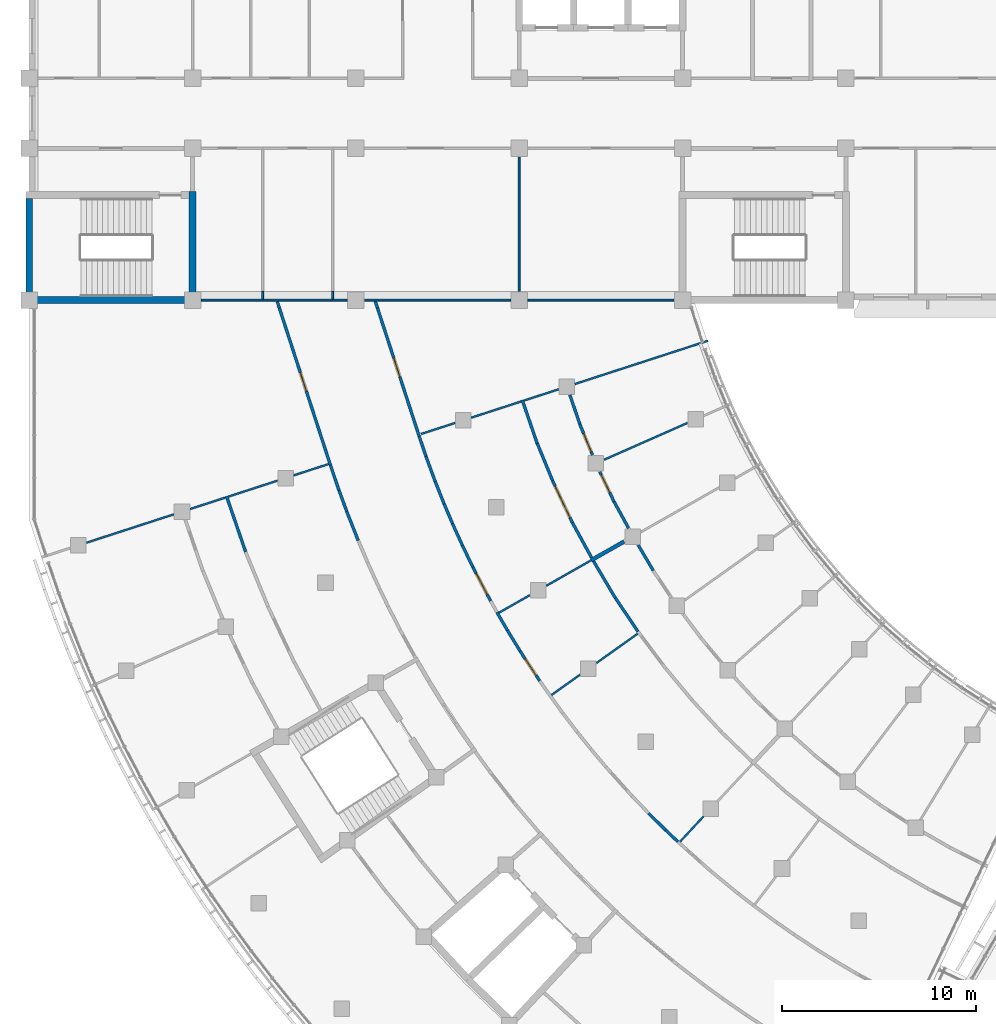
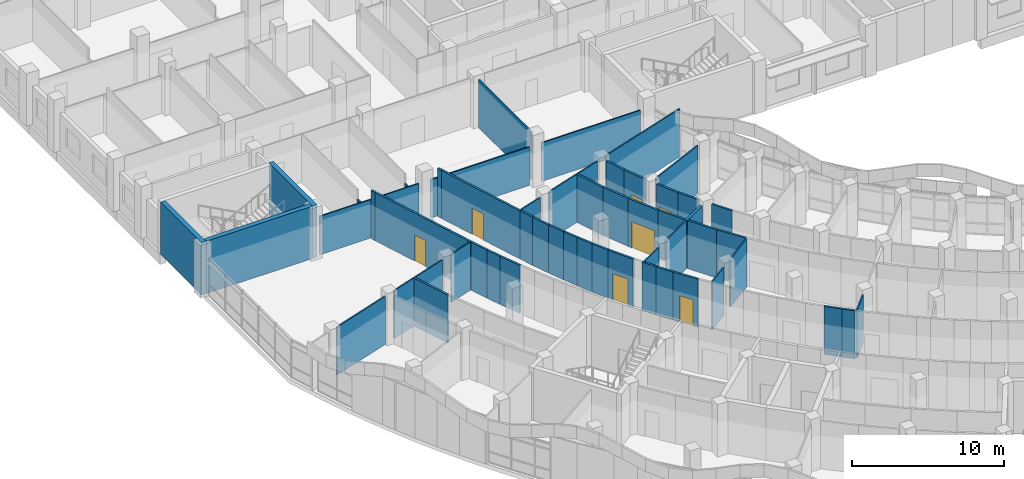
# One storey, part 54 of 109: 53 walls, 7 doors, 7 openings.
"""IFC4 building model written with IfcOpenShell, lengths in metres."""

from ifc_helpers import new_model, si_unit, direction, frame, frame_2d, origin, place, context, subcontext, project, spatial, rectangle, extrude, material, layer, layer_set, type_object, element, fill, save


model = new_model("IFC4")

# Units and contexts
model_context = context("Model", 3, precision=1e-05, world=origin(), true_north=direction((0.0, 1.0)))
body_context = subcontext(model_context, "Body", "Model", "MODEL_VIEW")
ifc_project = project(units=[si_unit("LENGTHUNIT", "METRE"), si_unit("AREAUNIT", "SQUARE_METRE"), si_unit("VOLUMEUNIT", "CUBIC_METRE"), si_unit("PLANEANGLEUNIT", "RADIAN"), si_unit("MASSUNIT", "GRAM", prefix="KILO")], contexts=[model_context])

# Site, building, storey
site_placement = place(None, origin())
site = spatial("IfcSite", under=ifc_project, at=site_placement, CompositionType="ELEMENT")
building_placement = place(site_placement, origin())
building = spatial("IfcBuilding", under=site, at=building_placement, Name="Bougainvillea Quay General Hospital", CompositionType="ELEMENT")
storey_placement = place(building_placement, frame((0.0, 0.0, 12.60009765625)))
storey = spatial("IfcBuildingStorey", under=building, at=storey_placement, Name="L02", CompositionType="ELEMENT", Elevation=12.60009765625)

# Walls
ifc_material_1 = material(Name="Gypsum board partition on steel studs", Category="steel")
ifc_layer_1 = layer(ifc_material_1, 0.10009765625)
ifc_layer_set_1 = layer_set([ifc_layer_1], Name="Gypsum board partition on steel studs")
wall_type_1 = type_object("IfcWallType", Name="Partition 100 Gypsum board partition", PredefinedType="PARTITIONING", material=ifc_layer_set_1)
for number, where, z_axis, x_axis, name in (
    (1, (75.14990234375, 117.60009765625, 0.0), (0.0, 0.0, 1.0), (-1.0, 0.0, 0.0), "Partition 100 mm"),
    (2, (66.75, 117.60009765625, 0.0), (0.0, 0.0, 1.0), (-1.0, 0.0, 0.0), "Partition 100 mm"),
    (3, (58.35009765625, 117.60009765625, 0.0), (0.0, 0.0, 1.0), (-1.0, 0.0, 0.0), "Partition 100 mm"),
):
    element("IfcWall", number, at=place(storey_placement, frame(where, z_axis=z_axis, x_axis=x_axis)), inside=storey, type_object=wall_type_1, Name=name, PredefinedType="PARTITIONING", context=body_context, shape_type="SweptSolid", body=[
        extrude(rectangle(XDim=7.5, YDim=0.10009765625, at=frame_2d((3.75, 0.0))), origin(), (0.0, 0.0, 1.0), 3.079833984375),
    ])
for number, where, z_axis, x_axis, name in (
    (4, (53.998046875, 117.64990234375, 0.0), (0.0, 0.0, 1.0), (0.0, 1.0, 0.0), "Partition 100 mm"),
    (5, (57.597900390625, 117.64990234375, 0.0), (0.0, 0.0, 1.0), (0.0, 1.0, 0.0), "Partition 100 mm"),
):
    element("IfcWall", number, at=place(storey_placement, frame(where, z_axis=z_axis, x_axis=x_axis)), inside=storey, type_object=wall_type_1, Name=name, PredefinedType="PARTITIONING", context=body_context, shape_type="SweptSolid", body=[
        extrude(rectangle(XDim=0.400146484375, YDim=0.10009765625, at=frame_2d((0.2001953125, 0.0))), origin(), (0.0, 0.0, 1.0), 3.079833984375),
    ])
wall_1_placement = place(storey_placement, frame((67.197998046875, 118.050048828125, 0.0), z_axis=(0.0, 0.0, 1.0), x_axis=(0.0, 1.0, 0.0)))
element("IfcWall", 6, at=wall_1_placement, inside=storey, type_object=wall_type_1, Name="Partition 100 mm", PredefinedType="PARTITIONING", context=body_context, shape_type="SweptSolid", body=[
    extrude(rectangle(XDim=6.89990234375, YDim=0.10009765625, at=frame_2d((3.449951171875, 0.0))), origin(), (0.0, 0.0, 1.0), 3.849853515625),
])
ifc_layer_2 = layer(ifc_material_1, 0.10009765625)
ifc_layer_set_2 = layer_set([ifc_layer_2], Name="Gypsum board partition on steel studs")
wall_type_2 = type_object("IfcWallType", Name="Partition 100 Gypsum board partition EI 30", PredefinedType="PARTITIONING", material=ifc_layer_set_2)
wall_2_placement = place(storey_placement, frame((44.945068359375, 105.122314453125, 0.0), z_axis=(0.0, 0.0, 1.0), x_axis=(0.95107316225, 0.308965758699, 0.0)))
element("IfcWall", 7, at=wall_2_placement, inside=storey, type_object=wall_type_2, Name="Partition 100 mm EI 30", PredefinedType="PARTITIONING", context=body_context, shape_type="SweptSolid", body=[
    extrude(rectangle(XDim=4.72607421875, YDim=0.10009765625, at=frame_2d((2.363037109375, 0.0))), origin(), (0.0, 0.0, 1.0), 3.849853515625),
])
wall_3_placement = place(storey_placement, frame((50.27001953125, 106.852294921875, 0.0), z_axis=(0.0, 0.0, 1.0), x_axis=(0.951077706574, 0.308951769792, 0.0)))
element("IfcWall", 8, at=wall_3_placement, inside=storey, type_object=wall_type_2, Name="Partition 100 mm EI 30", PredefinedType="PARTITIONING", context=body_context, shape_type="SweptSolid", body=[
    extrude(rectangle(XDim=4.72705078125, YDim=0.10009765625, at=frame_2d((2.363525390625, 0.0))), origin(), (0.0, 0.0, 1.0), 3.849853515625),
])
wall_4_placement = place(storey_placement, frame((55.59619140625, 108.58251953125, 0.0), z_axis=(0.0, 0.0, 1.0), x_axis=(0.951087292219, 0.308922259768, 0.0)))
element("IfcWall", 9, at=wall_4_placement, inside=storey, type_object=wall_type_2, Name="Partition 100 mm EI 30", PredefinedType="PARTITIONING", context=body_context, shape_type="SweptSolid", body=[
    extrude(rectangle(XDim=1.88720703125, YDim=0.10009765625, at=frame_2d((0.943603515625, 0.0))), origin(), (0.0, 0.0, 1.0), 3.849853515625),
])
wall_5_placement = place(storey_placement, frame((62.159423828125, 110.7158203125, 0.0), z_axis=(0.0, 0.0, 1.0), x_axis=(0.951101847275, 0.308877445129, 0.0)))
element("IfcWall", 10, at=wall_5_placement, inside=storey, type_object=wall_type_2, Name="Partition 100 mm EI 30", PredefinedType="PARTITIONING", context=body_context, shape_type="SweptSolid", body=[
    extrude(rectangle(XDim=1.825927734375, YDim=0.10009765625, at=frame_2d((0.9130859375, 0.0))), origin(), (0.0, 0.0, 1.0), 3.849853515625),
])
wall_6_placement = place(storey_placement, frame((64.72607421875, 111.549560546875, 0.0), z_axis=(0.0, 0.0, 1.0), x_axis=(0.951062529891, 0.308998485818, 0.0)))
element("IfcWall", 11, at=wall_6_placement, inside=storey, type_object=wall_type_2, Name="Partition 100 mm EI 30", PredefinedType="PARTITIONING", context=body_context, shape_type="SweptSolid", body=[
    extrude(rectangle(XDim=4.727294921875, YDim=0.10009765625, at=frame_2d((2.36376953125, 0.0))), origin(), (0.0, 0.0, 1.0), 3.849853515625),
])
wall_7_placement = place(storey_placement, frame((70.052001953125, 113.27978515625, 0.0), z_axis=(0.0, 0.0, 1.0), x_axis=(0.951069136727, 0.308978149982, 0.0)))
element("IfcWall", 12, at=wall_7_placement, inside=storey, type_object=wall_type_2, Name="Partition 100 mm EI 30", PredefinedType="PARTITIONING", context=body_context, shape_type="SweptSolid", body=[
    extrude(rectangle(XDim=7.212646484375, YDim=0.10009765625, at=frame_2d((3.6064453125, 0.0))), origin(), (0.0, 0.0, 1.0), 3.849853515625),
])
wall_8_placement = place(storey_placement, frame((71.561767578125, 109.38720703125, 0.0), z_axis=(0.0, 0.0, 1.0), x_axis=(0.914844742968, 0.403805765515, 0.0)))
element("IfcWall", 13, at=wall_8_placement, inside=storey, type_object=wall_type_2, Name="Partition 100 mm EI 30", PredefinedType="PARTITIONING", context=body_context, shape_type="SweptSolid", body=[
    extrude(rectangle(XDim=4.68310546875, YDim=0.10009765625, at=frame_2d((2.341552734375, 0.0))), origin(), (0.0, 0.0, 1.0), 3.849853515625),
])
wall_9_placement = place(storey_placement, frame((66.152587890625, 101.518310546875, 0.0), z_axis=(0.0, 0.0, 1.0), x_axis=(0.869297970102, 0.494288416997, 0.0)))
element("IfcWall", 14, at=wall_9_placement, inside=storey, type_object=wall_type_2, Name="Partition 100 mm EI 30", PredefinedType="PARTITIONING", context=body_context, shape_type="SweptSolid", body=[
    extrude(rectangle(XDim=1.833984375, YDim=0.10009765625, at=frame_2d((0.9169921875, 0.0))), origin(), (0.0, 0.0, 1.0), 3.849853515625),
])
wall_10_placement = place(storey_placement, frame((68.59521484375, 102.907470703125, 0.0), z_axis=(0.0, 0.0, 1.0), x_axis=(0.869270757215, 0.494336272846, 0.0)))
element("IfcWall", 15, at=wall_10_placement, inside=storey, type_object=wall_type_2, Name="Partition 100 mm EI 30", PredefinedType="PARTITIONING", context=body_context, shape_type="SweptSolid", body=[
    extrude(rectangle(XDim=2.656005859375, YDim=0.10009765625, at=frame_2d((1.328125, 0.0))), origin(), (0.0, 0.0, 1.0), 3.849853515625),
])
wall_11_placement = place(storey_placement, frame((75.4677734375, 89.74560546875, 0.0), z_axis=(0.0, 0.0, 1.0), x_axis=(0.681143154038, 0.732150260334, 0.0)))
element("IfcWall", 16, at=wall_11_placement, inside=storey, type_object=wall_type_2, Name="Partition 100 mm EI 30", PredefinedType="PARTITIONING", context=body_context, shape_type="SweptSolid", body=[
    extrude(rectangle(XDim=1.785400390625, YDim=0.10009765625, at=frame_2d((0.892578125, 0.0))), origin(), (0.0, 0.0, 1.0), 3.849853515625),
])
wall_12_placement = place(storey_placement, frame((68.860595703125, 97.2900390625, 0.0), z_axis=(0.0, 0.0, 1.0), x_axis=(0.814701484378, 0.5798805837, 0.0)))
element("IfcWall", 17, at=wall_12_placement, inside=storey, type_object=wall_type_2, Name="Partition 100 mm EI 30", PredefinedType="PARTITIONING", context=body_context, shape_type="SweptSolid", body=[
    extrude(rectangle(XDim=1.787109375, YDim=0.10009765625, at=frame_2d((0.8935546875, 0.0))), origin(), (0.0, 0.0, 1.0), 3.849853515625),
])
wall_13_placement = place(storey_placement, frame((71.17333984375, 98.936279296875, 0.0), z_axis=(0.0, 0.0, 1.0), x_axis=(0.814672160951, 0.579921779355, 0.0)))
element("IfcWall", 18, at=wall_13_placement, inside=storey, type_object=wall_type_2, Name="Partition 100 mm EI 30", PredefinedType="PARTITIONING", context=body_context, shape_type="SweptSolid", body=[
    extrude(rectangle(XDim=2.597900390625, YDim=0.10009765625, at=frame_2d((1.298828125, 0.0))), origin(), (0.0, 0.0, 1.0), 3.849853515625),
])
ifc_material_2 = material(Name="Gypsum board partition on steel studs, insulated", Category="steel")
ifc_layer_3 = layer(ifc_material_2, 0.14990234375)
ifc_layer_set_3 = layer_set([ifc_layer_3], Name="Gypsum board partition on steel studs, insulated")
wall_type_3 = type_object("IfcWallType", Name="Partition 150 Gypsum board partition EI 30", PredefinedType="PARTITIONING", material=ifc_layer_set_3)
wall_14_placement = place(storey_placement, frame((54.753662109375, 117.52734375, 0.0), z_axis=(0.0, 0.0, 1.0), x_axis=(0.308896865329, -0.951095540201, 0.0)))
element("IfcWall", 19, at=wall_14_placement, inside=storey, type_object=wall_type_3, Name="Partition 150 mm EI 30", PredefinedType="PARTITIONING", context=body_context, shape_type="SweptSolid", body=[
    extrude(rectangle(XDim=0.35009765625, YDim=0.14990234375, at=frame_2d((0.175048828125, 0.0))), origin(), (0.0, 0.0, 1.0), 3.849853515625),
])

# Wall, opening, door
wall_15_placement = place(storey_placement, frame((54.86181640625, 117.1943359375, 0.0), z_axis=(0.0, 0.0, 1.0), x_axis=(0.309017166236, -0.951056460454, 0.0)))
wall_15 = element("IfcWall", 20, at=wall_15_placement, inside=storey, type_object=wall_type_3, Name="Partition 150 mm EI 30", PredefinedType="PARTITIONING", context=body_context, shape_type="SweptSolid", body=[
    extrude(rectangle(XDim=8.4921875, YDim=0.14990234375, at=frame_2d((4.24609375, 0.0))), origin(), (0.0, 0.0, 1.0), 3.849853515625),
])
opening_1_placement = place(wall_15_placement, frame((3.49560546875, 0.0, 0.0)))
opening_1 = element("IfcOpeningElement", 21, at=opening_1_placement, cuts=wall_15, Name="Opening L02.205", PredefinedType="OPENING", context=body_context, shape_type="SweptSolid", body=[
    extrude(rectangle(XDim=1.0, YDim=2.10009765625, at=frame_2d((0.5, 1.050048828125))), frame((0.0, 0.0849609375, 0.0), z_axis=(0.0, -1.0, 0.0), x_axis=(1.0, 0.0, 0.0)), (0.0, 0.0, 1.0), 0.169921875),
])
ifc_material_3 = material(Name="Solid-core timber door leaf in steel frame", Category="steel")
door_type_1 = type_object("IfcDoorType", Name="Single leaf door 1000x2100 FD30S", OperationType="NOTDEFINED", PredefinedType="DOOR", material=ifc_material_3)
door_1_placement = place(opening_1_placement, frame((1.0, 0.0, 0.0), z_axis=(0.0, 0.0, 1.0), x_axis=(-1.0, 0.0, 0.0)))
door_1 = element("IfcDoor", 22, at=door_1_placement, inside=storey, type_object=door_type_1, Name="DT15 L02.205", OperationType="SINGLE_SWING_RIGHT", OverallHeight=2.10009765625, OverallWidth=1.0, PredefinedType="DOOR", context=body_context, shape_type="SweptSolid", body=[
    extrude(rectangle(XDim=1.0, YDim=2.10009765625, at=frame_2d((0.5, 1.050048828125))), frame((0.0, 0.02490234375, 0.0), z_axis=(0.0, -1.0, 0.0), x_axis=(1.0, 0.0, 0.0)), (0.0, 0.0, 1.0), 0.050048828125),
])
fill(opening_1, door_1)

# Wall
wall_16_placement = place(storey_placement, frame((59.800537109375, 117.52734375, 0.0), z_axis=(0.0, 0.0, 1.0), x_axis=(0.308896865329, -0.951095540201, 0.0)))
element("IfcWall", 23, at=wall_16_placement, inside=storey, type_object=wall_type_3, Name="Partition 150 mm EI 30", PredefinedType="PARTITIONING", context=body_context, shape_type="SweptSolid", body=[
    extrude(rectangle(XDim=0.35009765625, YDim=0.14990234375, at=frame_2d((0.175048828125, 0.0))), origin(), (0.0, 0.0, 1.0), 3.849853515625),
])

# Wall, opening, door
wall_17_placement = place(storey_placement, frame((59.90869140625, 117.1943359375, 0.0), z_axis=(0.0, 0.0, 1.0), x_axis=(0.30908686871, -0.95103380991, 0.0)))
wall_17 = element("IfcWall", 24, at=wall_17_placement, inside=storey, type_object=wall_type_3, Name="Partition 150 mm EI 30", PredefinedType="PARTITIONING", context=body_context, shape_type="SweptSolid", body=[
    extrude(rectangle(XDim=6.931884765625, YDim=0.14990234375, at=frame_2d((3.4658203125, 0.0))), origin(), (0.0, 0.0, 1.0), 3.849853515625),
])
opening_2_placement = place(wall_17_placement, frame((2.71533203125, 0.0, 0.0)))
opening_2 = element("IfcOpeningElement", 25, at=opening_2_placement, cuts=wall_17, Name="Opening L02.216", PredefinedType="OPENING", context=body_context, shape_type="SweptSolid", body=[
    extrude(rectangle(XDim=1.0, YDim=2.10009765625, at=frame_2d((0.5, 1.050048828125))), frame((0.0, 0.0849609375, 0.0), z_axis=(0.0, -1.0, 0.0), x_axis=(1.0, 0.0, 0.0)), (0.0, 0.0, 1.0), 0.169921875),
])
door_2_placement = place(opening_2_placement, origin())
door_2 = element("IfcDoor", 26, at=door_2_placement, inside=storey, type_object=door_type_1, Name="DT15 L02.216", OperationType="SINGLE_SWING_LEFT", OverallHeight=2.10009765625, OverallWidth=1.0, PredefinedType="DOOR", context=body_context, shape_type="SweptSolid", body=[
    extrude(rectangle(XDim=1.0, YDim=2.10009765625, at=frame_2d((0.5, 1.050048828125))), frame((0.0, 0.02490234375, 0.0), z_axis=(0.0, -1.0, 0.0), x_axis=(1.0, 0.0, 0.0)), (0.0, 0.0, 1.0), 0.050048828125),
])
fill(opening_2, door_2)

# Wall
wall_18_placement = place(storey_placement, frame((52.146728515625, 107.51025390625, 0.0), z_axis=(0.0, 0.0, 1.0), x_axis=(0.324772605422, -0.945792130844, 0.0)))
element("IfcWall", 27, at=wall_18_placement, inside=storey, type_object=wall_type_3, Name="Partition 150 mm EI 30", PredefinedType="PARTITIONING", context=body_context, shape_type="SweptSolid", body=[
    extrude(rectangle(XDim=3.021240234375, YDim=0.14990234375, at=frame_2d((1.5107421875, 0.0))), origin(), (0.0, 0.0, 1.0), 3.849853515625),
])

# Wall, opening, door
wall_19_placement = place(storey_placement, frame((68.9150390625, 108.30078125, 0.0), z_axis=(0.0, 0.0, 1.0), x_axis=(0.426631335289, -0.904425620905, 0.0)))
wall_19 = element("IfcWall", 28, at=wall_19_placement, inside=storey, type_object=wall_type_3, Name="Partition 150 mm EI 30", PredefinedType="PARTITIONING", context=body_context, shape_type="SweptSolid", body=[
    extrude(rectangle(XDim=2.381103515625, YDim=0.14990234375, at=frame_2d((1.1904296875, 0.0))), origin(), (0.0, 0.0, 1.0), 3.849853515625),
])
opening_3_placement = place(wall_19_placement, frame((0.29052734375, 0.0, 0.0)))
opening_3 = element("IfcOpeningElement", 29, at=opening_3_placement, cuts=wall_19, Name="Opening L02.180", PredefinedType="OPENING", context=body_context, shape_type="SweptSolid", body=[
    extrude(rectangle(XDim=1.800048828125, YDim=2.10009765625, at=frame_2d((0.89990234375, 1.050048828125))), frame((0.0, 0.0849609375, 0.0), z_axis=(0.0, -1.0, 0.0), x_axis=(1.0, 0.0, 0.0)), (0.0, 0.0, 1.0), 0.169921875),
])
ifc_material_4 = material(Name="Solid-core timber door leaves in steel frame", Category="steel")
door_type_2 = type_object("IfcDoorType", Name="Double leaf door 1800x2100", OperationType="DOUBLE_DOOR_SINGLE_SWING", PredefinedType="DOOR", material=ifc_material_4)
door_3_placement = place(opening_3_placement, origin())
door_3 = element("IfcDoor", 30, at=door_3_placement, inside=storey, type_object=door_type_2, Name="DT08 L02.180", OperationType="DOUBLE_DOOR_SINGLE_SWING", OverallHeight=2.10009765625, OverallWidth=1.800048828125, PredefinedType="DOOR", context=body_context, shape_type="SweptSolid", body=[
    extrude(rectangle(XDim=1.800048828125, YDim=2.10009765625, at=frame_2d((0.89990234375, 1.050048828125))), frame((0.0, 0.02490234375, 0.0), z_axis=(0.0, -1.0, 0.0), x_axis=(1.0, 0.0, 0.0)), (0.0, 0.0, 1.0), 0.050048828125),
])
fill(opening_3, door_3)

# Walls
wall_20_placement = place(storey_placement, frame((71.021484375, 104.1708984375, 0.0), z_axis=(0.0, 0.0, 1.0), x_axis=(0.50873677225, -0.860922119916, 0.0)))
element("IfcWall", 31, at=wall_20_placement, inside=storey, type_object=wall_type_3, Name="Partition 150 mm EI 30", PredefinedType="PARTITIONING", context=body_context, shape_type="SweptSolid", body=[
    extrude(rectangle(XDim=2.205078125, YDim=0.14990234375, at=frame_2d((1.1025390625, 0.0))), origin(), (0.0, 0.0, 1.0), 3.849853515625),
])
wall_21_placement = place(storey_placement, frame((67.356689453125, 112.453369140625, 0.0), z_axis=(0.0, 0.0, 1.0), x_axis=(0.32494944972, -0.94573138635, 0.0)))
element("IfcWall", 32, at=wall_21_placement, inside=storey, type_object=wall_type_3, Name="Partition 150 mm EI 30", PredefinedType="PARTITIONING", context=body_context, shape_type="SweptSolid", body=[
    extrude(rectangle(XDim=2.356201171875, YDim=0.14990234375, at=frame_2d((1.17822265625, 0.0))), origin(), (0.0, 0.0, 1.0), 3.849853515625),
])
wall_22_placement = place(storey_placement, frame((72.14453125, 102.2783203125, 0.0), z_axis=(0.0, 0.0, 1.0), x_axis=(0.558900636953, -0.829234633873, 0.0)))
element("IfcWall", 33, at=wall_22_placement, inside=storey, type_object=wall_type_3, Name="Partition 150 mm EI 30", PredefinedType="PARTITIONING", context=body_context, shape_type="SweptSolid", body=[
    extrude(rectangle(XDim=2.0888671875, YDim=0.14990234375, at=frame_2d((1.04443359375, 0.0))), origin(), (0.0, 0.0, 1.0), 3.849853515625),
])
wall_23_placement = place(storey_placement, frame((69.93310546875, 106.153076171875, 0.0), z_axis=(0.0, 0.0, 1.0), x_axis=(0.479964929401, -0.877287676047, 0.0)))
element("IfcWall", 34, at=wall_23_placement, inside=storey, type_object=wall_type_3, Name="Partition 150 mm EI 30", PredefinedType="PARTITIONING", context=body_context, shape_type="SweptSolid", body=[
    extrude(rectangle(XDim=2.05908203125, YDim=0.14990234375, at=frame_2d((1.029541015625, 0.0))), origin(), (0.0, 0.0, 1.0), 3.849853515625),
])
wall_24_placement = place(storey_placement, frame((68.125, 110.230712890625, 0.0), z_axis=(0.0, 0.0, 1.0), x_axis=(0.38056168262, -0.924755538357, 0.0)))
element("IfcWall", 35, at=wall_24_placement, inside=storey, type_object=wall_type_3, Name="Partition 150 mm EI 30", PredefinedType="PARTITIONING", context=body_context, shape_type="SweptSolid", body=[
    extrude(rectangle(XDim=2.0888671875, YDim=0.14990234375, at=frame_2d((1.04443359375, 0.0))), origin(), (0.0, 0.0, 1.0), 3.849853515625),
])

# Wall, opening, door
wall_25_placement = place(storey_placement, frame((71.345703125, 108.7705078125, 0.0), z_axis=(0.0, 0.0, 1.0), x_axis=(0.42702903496, -0.904237912997, 0.0)))
wall_25 = element("IfcWall", 36, at=wall_25_placement, inside=storey, type_object=wall_type_3, Name="Partition 150 mm EI 30", PredefinedType="PARTITIONING", context=body_context, shape_type="SweptSolid", body=[
    extrude(rectangle(XDim=1.707763671875, YDim=0.14990234375, at=frame_2d((0.85400390625, 0.0))), origin(), (0.0, 0.0, 1.0), 3.849853515625),
])
opening_4_placement = place(wall_25_placement, frame((0.177978515625, 0.0, 0.0)))
opening_4 = element("IfcOpeningElement", 37, at=opening_4_placement, cuts=wall_25, Name="Opening L02.217", PredefinedType="OPENING", context=body_context, shape_type="SweptSolid", body=[
    extrude(rectangle(XDim=1.0, YDim=2.10009765625, at=frame_2d((0.5, 1.050048828125))), frame((0.0, 0.0849609375, 0.0), z_axis=(0.0, -1.0, 0.0), x_axis=(1.0, 0.0, 0.0)), (0.0, 0.0, 1.0), 0.169921875),
])
door_4_placement = place(opening_4_placement, origin())
door_4 = element("IfcDoor", 38, at=door_4_placement, inside=storey, type_object=door_type_1, Name="DT15 L02.217", OperationType="SINGLE_SWING_LEFT", OverallHeight=2.10009765625, OverallWidth=1.0, PredefinedType="DOOR", context=body_context, shape_type="SweptSolid", body=[
    extrude(rectangle(XDim=1.0, YDim=2.10009765625, at=frame_2d((0.5, 1.050048828125))), frame((0.0, 0.02490234375, 0.0), z_axis=(0.0, -1.0, 0.0), x_axis=(1.0, 0.0, 0.0)), (0.0, 0.0, 1.0), 0.050048828125),
])
fill(opening_4, door_4)

wall_26_placement = place(storey_placement, frame((70.3115234375, 111.222412109375, 0.0), z_axis=(0.0, 0.0, 1.0), x_axis=(0.380150665177, -0.924924576258, 0.0)))
wall_26 = element("IfcWall", 39, at=wall_26_placement, inside=storey, type_object=wall_type_3, Name="Partition 150 mm EI 30", PredefinedType="PARTITIONING", context=body_context, shape_type="SweptSolid", body=[
    extrude(rectangle(XDim=1.7216796875, YDim=0.14990234375, at=frame_2d((0.86083984375, 0.0))), origin(), (0.0, 0.0, 1.0), 3.849853515625),
])
opening_5_placement = place(wall_26_placement, frame((0.52978515625, 0.0, 0.0)))
opening_5 = element("IfcOpeningElement", 40, at=opening_5_placement, cuts=wall_26, Name="Opening L02.218", PredefinedType="OPENING", context=body_context, shape_type="SweptSolid", body=[
    extrude(rectangle(XDim=1.0, YDim=2.10009765625, at=frame_2d((0.5, 1.050048828125))), frame((0.0, 0.0849609375, 0.0), z_axis=(0.0, -1.0, 0.0), x_axis=(1.0, 0.0, 0.0)), (0.0, 0.0, 1.0), 0.169921875),
])
door_5_placement = place(opening_5_placement, origin())
door_5 = element("IfcDoor", 41, at=door_5_placement, inside=storey, type_object=door_type_1, Name="DT15 L02.218", OperationType="SINGLE_SWING_RIGHT", OverallHeight=2.10009765625, OverallWidth=1.0, PredefinedType="DOOR", context=body_context, shape_type="SweptSolid", body=[
    extrude(rectangle(XDim=1.0, YDim=2.10009765625, at=frame_2d((0.5, 1.050048828125))), frame((0.0, 0.02490234375, 0.0), z_axis=(0.0, -1.0, 0.0), x_axis=(1.0, 0.0, 0.0)), (0.0, 0.0, 1.0), 0.050048828125),
])
fill(opening_5, door_5)

# Walls
wall_27_placement = place(storey_placement, frame((73.3193359375, 104.99658203125, 0.0), z_axis=(0.0, 0.0, 1.0), x_axis=(0.508740142918, -0.86092012811, 0.0)))
element("IfcWall", 42, at=wall_27_placement, inside=storey, type_object=wall_type_3, Name="Partition 150 mm EI 30", PredefinedType="PARTITIONING", context=body_context, shape_type="SweptSolid", body=[
    extrude(rectangle(XDim=1.518798828125, YDim=0.14990234375, at=frame_2d((0.75927734375, 0.0))), origin(), (0.0, 0.0, 1.0), 3.849853515625),
])
wall_28_placement = place(storey_placement, frame((72.076904296875, 107.23193359375, 0.0), z_axis=(0.0, 0.0, 1.0), x_axis=(0.480041086357, -0.877246006209, 0.0)))
element("IfcWall", 43, at=wall_28_placement, inside=storey, type_object=wall_type_3, Name="Partition 150 mm EI 30", PredefinedType="PARTITIONING", context=body_context, shape_type="SweptSolid", body=[
    extrude(rectangle(XDim=1.55322265625, YDim=0.14990234375, at=frame_2d((0.776611328125, 0.0))), origin(), (0.0, 0.0, 1.0), 3.849853515625),
])
wall_29_placement = place(storey_placement, frame((69.80224609375, 112.718017578125, 0.0), z_axis=(0.0, 0.0, 1.0), x_axis=(0.32490745983, -0.945745812863, 0.0)))
element("IfcWall", 44, at=wall_29_placement, inside=storey, type_object=wall_type_3, Name="Partition 150 mm EI 30", PredefinedType="PARTITIONING", context=body_context, shape_type="SweptSolid", body=[
    extrude(rectangle(XDim=1.583984375, YDim=0.14990234375, at=frame_2d((0.7919921875, 0.0))), origin(), (0.0, 0.0, 1.0), 3.849853515625),
])

# Wall, opening, door
wall_30_placement = place(storey_placement, frame((67.24365234375, 99.546630859375, 0.0), z_axis=(0.0, 0.0, 1.0), x_axis=(0.550660027371, -0.834729617454, 0.0)))
wall_30 = element("IfcWall", 45, at=wall_30_placement, inside=storey, type_object=wall_type_3, Name="Partition 150 mm EI 30", PredefinedType="PARTITIONING", context=body_context, shape_type="SweptSolid", body=[
    extrude(rectangle(XDim=1.829833984375, YDim=0.14990234375, at=frame_2d((0.9150390625, 0.0))), origin(), (0.0, 0.0, 1.0), 3.849853515625),
])
opening_6_placement = place(wall_30_placement, frame((0.488525390625, 0.0, 0.0)))
opening_6 = element("IfcOpeningElement", 46, at=opening_6_placement, cuts=wall_30, Name="Opening L02.212", PredefinedType="OPENING", context=body_context, shape_type="SweptSolid", body=[
    extrude(rectangle(XDim=1.0, YDim=2.10009765625, at=frame_2d((0.5, 1.050048828125))), frame((0.0, 0.0849609375, 0.0), z_axis=(0.0, -1.0, 0.0), x_axis=(1.0, 0.0, 0.0)), (0.0, 0.0, 1.0), 0.169921875),
])
door_6_placement = place(opening_6_placement, origin())
door_6 = element("IfcDoor", 47, at=door_6_placement, inside=storey, type_object=door_type_1, Name="DT15 L02.212", OperationType="SINGLE_SWING_RIGHT", OverallHeight=2.10009765625, OverallWidth=1.0, PredefinedType="DOOR", context=body_context, shape_type="SweptSolid", body=[
    extrude(rectangle(XDim=1.0, YDim=2.10009765625, at=frame_2d((0.5, 1.050048828125))), frame((0.0, 0.02490234375, 0.0), z_axis=(0.0, -1.0, 0.0), x_axis=(1.0, 0.0, 0.0)), (0.0, 0.0, 1.0), 0.050048828125),
])
fill(opening_6, door_6)

wall_31_placement = place(storey_placement, frame((64.81298828125, 103.865478515625, 0.0), z_axis=(0.0, 0.0, 1.0), x_axis=(0.464962924249, -0.885330152584, 0.0)))
wall_31 = element("IfcWall", 48, at=wall_31_placement, inside=storey, type_object=wall_type_3, Name="Partition 150 mm EI 30", PredefinedType="PARTITIONING", context=body_context, shape_type="SweptSolid", body=[
    extrude(rectangle(XDim=1.96533203125, YDim=0.14990234375, at=frame_2d((0.982666015625, 0.0))), origin(), (0.0, 0.0, 1.0), 3.849853515625),
])
opening_7_placement = place(wall_31_placement, frame((0.382568359375, 0.0, 0.0)))
opening_7 = element("IfcOpeningElement", 49, at=opening_7_placement, cuts=wall_31, Name="Opening L02.194", PredefinedType="OPENING", context=body_context, shape_type="SweptSolid", body=[
    extrude(rectangle(XDim=1.199951171875, YDim=2.10009765625, at=frame_2d((0.60009765625, 1.050048828125))), frame((0.0, 0.0849609375, 0.0), z_axis=(0.0, -1.0, 0.0), x_axis=(1.0, 0.0, 0.0)), (0.0, 0.0, 1.0), 0.169921875),
])
door_type_3 = type_object("IfcDoorType", Name="Single leaf door 1200x2100", OperationType="NOTDEFINED", PredefinedType="DOOR", material=ifc_material_3)
door_7_placement = place(opening_7_placement, frame((1.199951171875, 0.0, 0.0), z_axis=(0.0, 0.0, 1.0), x_axis=(-1.0, 0.0, 0.0)))
door_7 = element("IfcDoor", 50, at=door_7_placement, inside=storey, type_object=door_type_3, Name="DT13 L02.194", OperationType="SINGLE_SWING_LEFT", OverallHeight=2.10009765625, OverallWidth=1.199951171875, PredefinedType="DOOR", context=body_context, shape_type="SweptSolid", body=[
    extrude(rectangle(XDim=1.199951171875, YDim=2.10009765625, at=frame_2d((0.60009765625, 1.050048828125))), frame((0.0, 0.02490234375, 0.0), z_axis=(0.0, -1.0, 0.0), x_axis=(1.0, 0.0, 0.0)), (0.0, 0.0, 1.0), 0.050048828125),
])
fill(opening_7, door_7)

# Walls
wall_32_placement = place(storey_placement, frame((58.324462890625, 106.73583984375, 0.0), z_axis=(0.0, 0.0, 1.0), x_axis=(0.367534370983, -0.930009938735, 0.0)))
element("IfcWall", 51, at=wall_32_placement, inside=storey, type_object=wall_type_3, Name="Partition 150 mm EI 30", PredefinedType="PARTITIONING", context=body_context, shape_type="SweptSolid", body=[
    extrude(rectangle(XDim=1.616943359375, YDim=0.14990234375, at=frame_2d((0.80859375, 0.0))), origin(), (0.0, 0.0, 1.0), 3.849853515625),
])
wall_33_placement = place(storey_placement, frame((57.4873046875, 109.1171875, 0.0), z_axis=(0.0, 0.0, 1.0), x_axis=(0.321098351659, -0.947045853463, 0.0)))
element("IfcWall", 52, at=wall_33_placement, inside=storey, type_object=wall_type_3, Name="Partition 150 mm EI 30", PredefinedType="PARTITIONING", context=body_context, shape_type="SweptSolid", body=[
    extrude(rectangle(XDim=1.38232421875, YDim=0.14990234375, at=frame_2d((0.691162109375, 0.0))), origin(), (0.0, 0.0, 1.0), 3.849853515625),
])
wall_34_placement = place(storey_placement, frame((57.93212890625, 107.810302734375, 0.0), z_axis=(0.0, 0.0, 1.0), x_axis=(0.344530098651, -0.938775271896, 0.0)))
element("IfcWall", 53, at=wall_34_placement, inside=storey, type_object=wall_type_3, Name="Partition 150 mm EI 30", PredefinedType="PARTITIONING", context=body_context, shape_type="SweptSolid", body=[
    extrude(rectangle(XDim=1.145751953125, YDim=0.14990234375, at=frame_2d((0.57275390625, 0.0))), origin(), (0.0, 0.0, 1.0), 3.849853515625),
])
wall_35_placement = place(storey_placement, frame((66.595703125, 100.60400390625, 0.0), z_axis=(0.0, 0.0, 1.0), x_axis=(0.524086461663, -0.851665063685, 0.0)))
element("IfcWall", 54, at=wall_35_placement, inside=storey, type_object=wall_type_3, Name="Partition 150 mm EI 30", PredefinedType="PARTITIONING", context=body_context, shape_type="SweptSolid", body=[
    extrude(rectangle(XDim=1.242431640625, YDim=0.14990234375, at=frame_2d((0.62109375, 0.0))), origin(), (0.0, 0.0, 1.0), 3.849853515625),
])
wall_36_placement = place(storey_placement, frame((62.400146484375, 109.568359375, 0.0), z_axis=(0.0, 0.0, 1.0), x_axis=(0.344492078755, -0.938789224307, 0.0)))
element("IfcWall", 55, at=wall_36_placement, inside=storey, type_object=wall_type_3, Name="Partition 150 mm EI 30", PredefinedType="PARTITIONING", context=body_context, shape_type="SweptSolid", body=[
    extrude(rectangle(XDim=1.3896484375, YDim=0.14990234375, at=frame_2d((0.69482421875, 0.0))), origin(), (0.0, 0.0, 1.0), 3.849853515625),
])
for number, where, z_axis, x_axis, name in (
    (56, (73.850830078125, 91.21142578125, 0.0), (0.0, 0.0, 1.0), (0.709168733207, -0.70503879882, 0.0), "Partition 150 mm EI 30"),
    (57, (64.2744140625, 104.9814453125, 0.0), (0.0, 0.0, 1.0), (0.436562976118, -0.899673700784, 0.0), "Partition 150 mm EI 30"),
):
    element("IfcWall", number, at=place(storey_placement, frame(where, z_axis=z_axis, x_axis=x_axis)), inside=storey, type_object=wall_type_3, Name=name, PredefinedType="PARTITIONING", context=body_context, shape_type="SweptSolid", body=[
        extrude(rectangle(XDim=1.241455078125, YDim=0.14990234375, at=frame_2d((0.62060546875, 0.0))), origin(), (0.0, 0.0, 1.0), 3.849853515625),
    ])
for number, where, z_axis, x_axis, name in (
    (58, (63.762939453125, 106.1103515625, 0.0), (0.0, 0.0, 1.0), (0.413936344261, -0.910305829323, 0.0), "Partition 150 mm EI 30"),
    (59, (62.8798828125, 108.26611328125, 0.0), (0.0, 0.0, 1.0), (0.368098059635, -0.929786974792, 0.0), "Partition 150 mm EI 30"),
):
    element("IfcWall", number, at=place(storey_placement, frame(where, z_axis=z_axis, x_axis=x_axis)), inside=storey, type_object=wall_type_3, Name=name, PredefinedType="PARTITIONING", context=body_context, shape_type="SweptSolid", body=[
        extrude(rectangle(XDim=1.240966796875, YDim=0.14990234375, at=frame_2d((0.62060546875, 0.0))), origin(), (0.0, 0.0, 1.0), 3.849853515625),
    ])
wall_37_placement = place(storey_placement, frame((63.337646484375, 107.11474609375, 0.0), z_axis=(0.0, 0.0, 1.0), x_axis=(0.39149075642, -0.920182040489, 0.0)))
element("IfcWall", 60, at=wall_37_placement, inside=storey, type_object=wall_type_3, Name="Partition 150 mm EI 30", PredefinedType="PARTITIONING", context=body_context, shape_type="SweptSolid", body=[
    extrude(rectangle(XDim=1.092529296875, YDim=0.14990234375, at=frame_2d((0.54638671875, 0.0))), origin(), (0.0, 0.0, 1.0), 3.849853515625),
])
wall_38_placement = place(storey_placement, frame((62.052001953125, 110.60107421875, 0.0), z_axis=(0.0, 0.0, 1.0), x_axis=(0.32118888939, -0.947015151585, 0.0)))
element("IfcWall", 61, at=wall_38_placement, inside=storey, type_object=wall_type_3, Name="Partition 150 mm EI 30", PredefinedType="PARTITIONING", context=body_context, shape_type="SweptSolid", body=[
    extrude(rectangle(XDim=1.091552734375, YDim=0.14990234375, at=frame_2d((0.5458984375, 0.0))), origin(), (0.0, 0.0, 1.0), 3.849853515625),
])
wall_39_placement = place(storey_placement, frame((66.04931640625, 101.5458984375, 0.0), z_axis=(0.0, 0.0, 1.0), x_axis=(0.503161106297, -0.864192629632, 0.0)))
element("IfcWall", 62, at=wall_39_placement, inside=storey, type_object=wall_type_3, Name="Partition 150 mm EI 30", PredefinedType="PARTITIONING", context=body_context, shape_type="SweptSolid", body=[
    extrude(rectangle(XDim=1.0908203125, YDim=0.14990234375, at=frame_2d((0.54541015625, 0.0))), origin(), (0.0, 0.0, 1.0), 3.849853515625),
])
wall_40_placement = place(storey_placement, frame((74.731201171875, 90.338623046875, 0.0), z_axis=(0.0, 0.0, 1.0), x_axis=(0.725923200466, -0.687775767984, 0.0)))
element("IfcWall", 63, at=wall_40_placement, inside=storey, type_object=wall_type_3, Name="Partition 150 mm EI 30", PredefinedType="PARTITIONING", context=body_context, shape_type="SweptSolid", body=[
    extrude(rectangle(XDim=0.870361328125, YDim=0.14990234375, at=frame_2d((0.43505859375, 0.0))), origin(), (0.0, 0.0, 1.0), 3.849853515625),
])
ifc_material_5 = material(Name="Fire-rated autoclaved aerated block wall, plastered")
ifc_layer_4 = layer(ifc_material_5, 0.199951171875)
ifc_layer_set_4 = layer_set([ifc_layer_4], Name="Fire-rated autoclaved aerated block wall, plastered")
wall_type_4 = type_object("IfcWallType", Name="Partition 200 Fire-rated autoclaved aerated block wall EI 120", PredefinedType="SOLIDWALL", material=ifc_layer_set_4)
wall_41_placement = place(storey_placement, frame((70.90478515625, 104.220947265625, 0.0), z_axis=(0.0, 0.0, 1.0), x_axis=(0.869256176146, 0.494361912198, 0.0)))
element("IfcWall", 64, at=wall_41_placement, inside=storey, type_object=wall_type_4, Name="Partition 200 mm EI 120", PredefinedType="SOLIDWALL", context=body_context, shape_type="SweptSolid", body=[
    extrude(rectangle(XDim=1.939453125, YDim=0.199951171875, at=frame_2d((0.9697265625, 0.0))), origin(), (0.0, 0.0, 1.0), 3.849853515625),
])
ifc_material_6 = material(Name="Concrete C40", Category="concrete")
ifc_layer_5 = layer(ifc_material_6, 0.35009765625)
ifc_layer_set_5 = layer_set([ifc_layer_5], Name="Concrete C40")
wall_type_5 = type_object("IfcWallType", Name="RC SHEAR WALL 350 C40", PredefinedType="SHEAR", material=ifc_layer_set_5)
wall_42_placement = place(storey_placement, frame((42.0, 117.425048828125, 0.0), z_axis=(0.0, 0.0, 1.0), x_axis=(0.0, 1.0, 0.0)))
element("IfcWall", 65, at=wall_42_placement, inside=storey, type_object=wall_type_5, Name="Shear wall L02", PredefinedType="SHEAR", context=body_context, shape_type="SweptSolid", body=[
    extrude(rectangle(XDim=5.39990234375, YDim=0.35009765625, at=frame_2d((2.699951171875, 0.0))), origin(), (0.0, 0.0, 1.0), 4.199951171875),
])
wall_43_placement = place(storey_placement, frame((42.175048828125, 117.60009765625, 0.0), z_axis=(0.0, 0.0, 1.0), x_axis=(1.0, 0.0, 0.0)))
element("IfcWall", 66, at=wall_43_placement, inside=storey, type_object=wall_type_5, Name="Shear wall L02", PredefinedType="SHEAR", context=body_context, shape_type="SweptSolid", body=[
    extrude(rectangle(XDim=8.050048828125, YDim=0.35009765625, at=frame_2d((4.02490234375, 0.0))), origin(), (0.0, 0.0, 1.0), 4.199951171875),
])
wall_44_placement = place(storey_placement, frame((50.39990234375, 117.425048828125, 0.0), z_axis=(0.0, 0.0, 1.0), x_axis=(0.0, 1.0, 0.0)))
element("IfcWall", 67, at=wall_44_placement, inside=storey, type_object=wall_type_5, Name="Shear wall L02", PredefinedType="SHEAR", context=body_context, shape_type="SweptSolid", body=[
    extrude(rectangle(XDim=5.75, YDim=0.35009765625, at=frame_2d((2.875, 0.0))), origin(), (0.0, 0.0, 1.0), 4.199951171875),
])

save(model, "model.ifc")
